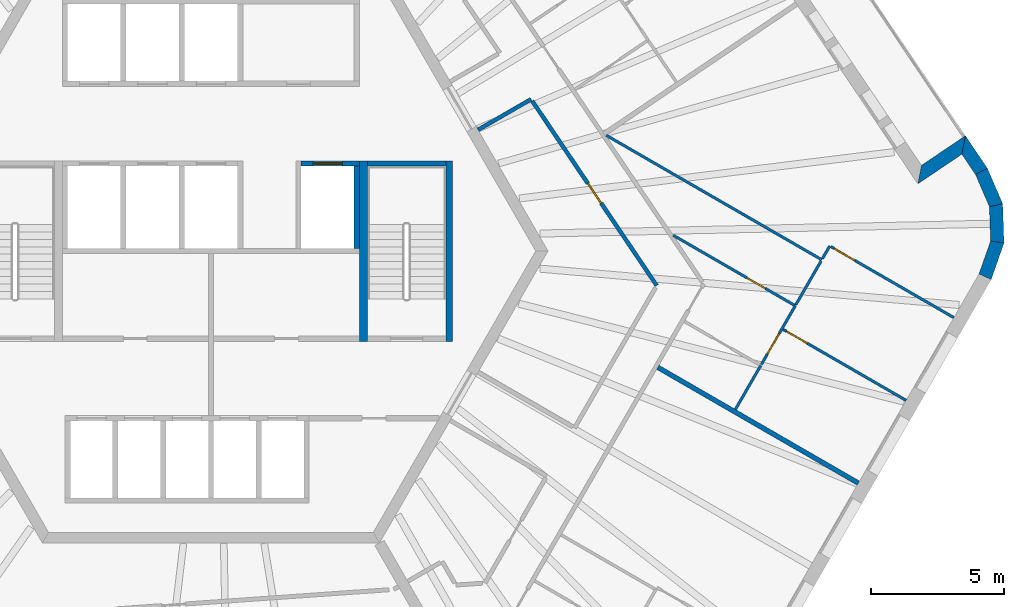
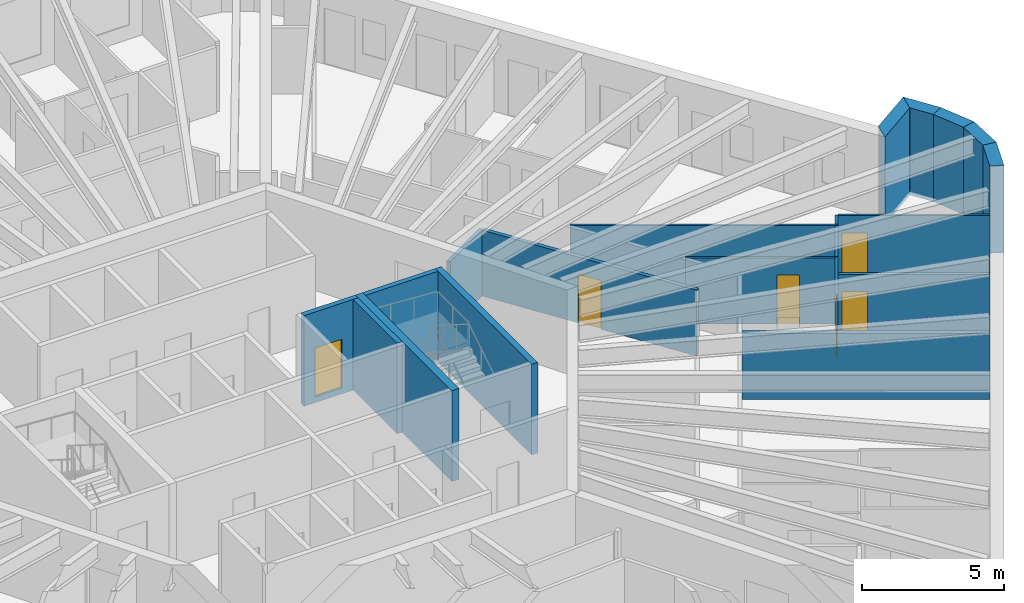
# One storey, part 7 of 12: 21 walls, 6 doors, 6 openings.
"""IFC4 building model written with IfcOpenShell, lengths in metres."""

from ifc_helpers import new_model, si_unit, direction, frame, frame_2d, origin, place, context, subcontext, project, spatial, polyline, rectangle, outline, extrude, material, layer, layer_set, type_object, element, fill, save


model = new_model("IFC4")

# Units and contexts
model_context = context("Model", 3, precision=1e-05, world=origin(), true_north=direction((0.0, 1.0)))
body_context = subcontext(model_context, "Body", "Model", "MODEL_VIEW")
ifc_project = project(units=[si_unit("LENGTHUNIT", "METRE"), si_unit("AREAUNIT", "SQUARE_METRE"), si_unit("VOLUMEUNIT", "CUBIC_METRE"), si_unit("PLANEANGLEUNIT", "RADIAN"), si_unit("MASSUNIT", "GRAM", prefix="KILO")], contexts=[model_context])

# Site, building, storey
site_placement = place(None, origin())
site = spatial("IfcSite", under=ifc_project, at=site_placement, CompositionType="ELEMENT")
building_placement = place(site_placement, origin())
building = spatial("IfcBuilding", under=site, at=building_placement, Name="Tarnside Tower", CompositionType="ELEMENT")
storey_placement = place(building_placement, frame((0.0, 0.0, 334.199951171875)))
storey = spatial("IfcBuildingStorey", under=building, at=storey_placement, Name="L81", CompositionType="ELEMENT", Elevation=334.199951171875)

# Wall
ifc_material_1 = material(Name="Gypsum board partition on steel studs", Category="steel")
ifc_layer_1 = layer(ifc_material_1, 0.10009765625)
ifc_layer_set_1 = layer_set([ifc_layer_1], Name="Bathroom wall 100")
wall_type_1 = type_object("IfcWallType", Name="Bathroom wall 100", PredefinedType="PARTITIONING", material=ifc_layer_set_1)
wall_1_placement = place(storey_placement, frame((14.896484375, 4.36083984375, 0.0), z_axis=(0.0, 0.0, 1.0), x_axis=(0.866020874699, -0.500007844523, 0.0)))
element("IfcWall", 1, at=wall_1_placement, inside=storey, type_object=wall_type_1, Name="Bathroom wall 26150", PredefinedType="PARTITIONING", context=body_context, shape_type="SweptSolid", body=[
    extrude(rectangle(XDim=9.379638671875, YDim=0.10009765625, at=frame_2d((4.68994140625, 0.0))), origin(), (0.0, 0.0, 1.0), 2.837890625),
])

# Wall, opening, door
wall_2_placement = place(storey_placement, frame((22.01953125, -2.06103515625, 0.0), z_axis=(0.0, 0.0, 1.0), x_axis=(-0.866041630335, 0.499971893737, 0.0)))
wall_2 = element("IfcWall", 2, at=wall_2_placement, inside=storey, type_object=wall_type_1, Name="Bathroom wall 26156", PredefinedType="PARTITIONING", context=body_context, shape_type="SweptSolid", body=[
    extrude(rectangle(XDim=5.309326171875, YDim=0.10009765625, at=frame_2d((2.65478515625, 0.0))), origin(), (0.0, 0.0, 1.0), 2.837890625),
])
opening_1_placement = place(wall_2_placement, frame((1.300048828125, 0.0, 0.0)))
opening_1 = element("IfcOpeningElement", 3, at=opening_1_placement, cuts=wall_2, Name="Opening D-B1", PredefinedType="OPENING", context=body_context, shape_type="SweptSolid", body=[
    extrude(rectangle(XDim=0.800048828125, YDim=2.10009765625, at=frame_2d((0.39990234375, 1.050048828125))), frame((0.0, 0.06005859375, 0.0), z_axis=(0.0, -1.0, 0.0), x_axis=(1.0, 0.0, 0.0)), (0.0, 0.0, 1.0), 0.1201171875),
])
ifc_material_2 = material(Name="Timber door leaf", Category="wood")
door_type_1 = type_object("IfcDoorType", Name="Bathroom door 800", OperationType="NOTDEFINED", PredefinedType="DOOR", material=ifc_material_2)
door_1_placement = place(opening_1_placement, origin())
door_1 = element("IfcDoor", 4, at=door_1_placement, inside=storey, type_object=door_type_1, Name="Bathroom door 26060", OperationType="SINGLE_SWING_RIGHT", OverallHeight=2.10009765625, OverallWidth=0.800048828125, PredefinedType="DOOR", context=body_context, shape_type="SweptSolid", body=[
    extrude(rectangle(XDim=0.800048828125, YDim=2.10009765625, at=frame_2d((0.39990234375, 1.050048828125))), frame((0.0, 0.02490234375, 0.0), z_axis=(0.0, -1.0, 0.0), x_axis=(1.0, 0.0, 0.0)), (0.0, 0.0, 1.0), 0.050048828125),
])
fill(opening_1, door_1)

# Walls
wall_3_placement = place(storey_placement, frame((19.764404296875, -5.966796875, 0.0), z_axis=(0.0, 0.0, 1.0), x_axis=(0.500039310002, 0.866002706955, 0.0)))
element("IfcWall", 5, at=wall_3_placement, inside=storey, type_object=wall_type_1, Name="Bathroom wall 26157", PredefinedType="PARTITIONING", context=body_context, shape_type="SweptSolid", body=[
    extrude(rectangle(XDim=1.911865234375, YDim=0.10009765625, at=frame_2d((0.9560546875, 0.0))), origin(), (0.0, 0.0, 1.0), 2.837890625),
])
wall_4_placement = place(storey_placement, frame((22.99462890625, -0.372314453125, 0.0), z_axis=(0.0, 0.0, 1.0), x_axis=(-0.500063520245, -0.865988727248, 0.0)))
element("IfcWall", 6, at=wall_4_placement, inside=storey, type_object=wall_type_1, Name="Bathroom wall 26159", PredefinedType="PARTITIONING", context=body_context, shape_type="SweptSolid", body=[
    extrude(rectangle(XDim=1.900146484375, YDim=0.10009765625, at=frame_2d((0.9501953125, 0.0))), origin(), (0.0, 0.0, 1.0), 2.837890625),
])
ifc_layer_2 = layer(ifc_material_1, 0.14990234375)
ifc_layer_set_2 = layer_set([ifc_layer_2], Name="Corridor wall 150 EI 60")
wall_type_2 = type_object("IfcWallType", Name="Corridor wall 150 EI 60", PredefinedType="PARTITIONING", material=ifc_layer_set_2)
wall_5_placement = place(storey_placement, frame((10.065673828125, 4.565673828125, 0.0), z_axis=(0.0, 0.0, 1.0), x_axis=(0.866034075723, 0.499984979461, 0.0)))
element("IfcWall", 7, at=wall_5_placement, inside=storey, type_object=wall_type_2, Name="Corridor wall 26077", PredefinedType="PARTITIONING", context=body_context, shape_type="SweptSolid", body=[
    extrude(rectangle(XDim=2.3076171875, YDim=0.14990234375, at=frame_2d((1.15380859375, 0.0))), origin(), (0.0, 0.0, 1.0), 2.837890625),
])

# Wall, opening, door
wall_6_placement = place(storey_placement, frame((12.106201171875, 5.6572265625, 0.0), z_axis=(0.0, 0.0, 1.0), x_axis=(0.559202573837, -0.829031049728, 0.0)))
wall_6 = element("IfcWall", 8, at=wall_6_placement, inside=storey, type_object=wall_type_2, Name="Corridor wall 26078", PredefinedType="PARTITIONING", context=body_context, shape_type="SweptSolid", body=[
    extrude(rectangle(XDim=8.393798828125, YDim=0.14990234375, at=frame_2d((4.19677734375, 0.0))), origin(), (0.0, 0.0, 1.0), 2.837890625),
])
opening_2_placement = place(wall_6_placement, frame((3.746826171875, 0.0, 0.0)))
opening_2 = element("IfcOpeningElement", 9, at=opening_2_placement, cuts=wall_6, Name="Opening D-S1", PredefinedType="OPENING", context=body_context, shape_type="SweptSolid", body=[
    extrude(rectangle(XDim=0.89990234375, YDim=2.10009765625, at=frame_2d((0.449951171875, 1.050048828125))), frame((0.0, 0.0849609375, 0.0), z_axis=(0.0, -1.0, 0.0), x_axis=(1.0, 0.0, 0.0)), (0.0, 0.0, 1.0), 0.169921875),
])
door_type_2 = type_object("IfcDoorType", Name="Service room door 900 FD30S", OperationType="NOTDEFINED", PredefinedType="DOOR", material=ifc_material_2)
door_2_placement = place(opening_2_placement, origin())
door_2 = element("IfcDoor", 10, at=door_2_placement, inside=storey, type_object=door_type_2, Name="Service door 26076", OperationType="SINGLE_SWING_RIGHT", OverallHeight=2.10009765625, OverallWidth=0.89990234375, PredefinedType="DOOR", context=body_context, shape_type="SweptSolid", body=[
    extrude(rectangle(XDim=0.89990234375, YDim=2.10009765625, at=frame_2d((0.449951171875, 1.050048828125))), frame((0.0, 0.02490234375, 0.0), z_axis=(0.0, -1.0, 0.0), x_axis=(1.0, 0.0, 0.0)), (0.0, 0.0, 1.0), 0.050048828125),
])
fill(opening_2, door_2)

# Wall
ifc_layer_3 = layer(ifc_material_1, 0.179931640625)
ifc_layer_set_3 = layer_set([ifc_layer_3], Name="Demising wall 180 EI 60")
wall_type_3 = type_object("IfcWallType", Name="Demising wall 180 EI 60", PredefinedType="PARTITIONING", material=ifc_layer_set_3)
wall_7_placement = place(storey_placement, frame((24.39599609375, -8.744873046875, 0.0), z_axis=(0.0, 0.0, 1.0), x_axis=(-0.866018297078, 0.500012308975, 0.0)))
element("IfcWall", 11, at=wall_7_placement, inside=storey, type_object=wall_type_3, Name="Demising wall 26139", PredefinedType="PARTITIONING", context=body_context, shape_type="SweptSolid", body=[
    extrude(rectangle(XDim=8.724853515625, YDim=0.179931640625, at=frame_2d((4.3623046875, 0.0))), origin(), (0.0, 0.0, 1.0), 2.837890625),
])

# Wall, opening, door
ifc_material_3 = material(Name="Concrete C40/50", Category="concrete")
ifc_layer_4 = layer(ifc_material_3, 0.199951171875)
ifc_layer_set_4 = layer_set([ifc_layer_4], Name="Lift shaft wall 200 C40/50")
wall_type_4 = type_object("IfcWallType", Name="Lift shaft wall 200 C40/50", PredefinedType="SHEAR", material=ifc_layer_set_4)
wall_8_placement = place(storey_placement, frame((3.39990234375, 3.300048828125, -0.25), z_axis=(0.0, 0.0, 1.0), x_axis=(1.0, 0.0, 0.0)))
wall_8 = element("IfcWall", 12, at=wall_8_placement, inside=storey, type_object=wall_type_4, Name="L81 lift shaft front wall R2 2", PredefinedType="SHEAR", context=body_context, shape_type="SweptSolid", body=[
    extrude(rectangle(XDim=2.2001953125, YDim=0.199951171875, at=frame_2d((1.10009765625, 0.0))), origin(), (0.0, 0.0, 1.0), 3.900146484375),
])
opening_3_placement = place(wall_8_placement, frame((0.449951171875, 0.0, 0.25)))
opening_3 = element("IfcOpeningElement", 13, at=opening_3_placement, cuts=wall_8, Name="Opening LD", PredefinedType="OPENING", context=body_context, shape_type="SweptSolid", body=[
    extrude(rectangle(XDim=1.10009765625, YDim=2.10009765625, at=frame_2d((0.550048828125, 1.050048828125))), frame((0.0, 0.10986328125, 0.0), z_axis=(0.0, -1.0, 0.0), x_axis=(1.0, 0.0, 0.0)), (0.0, 0.0, 1.0), 0.219970703125),
])
ifc_material_4 = material(Name="Stainless steel", Category="steel")
door_type_3 = type_object("IfcDoorType", Name="Lift landing door 1100x2100", OperationType="NOTDEFINED", PredefinedType="DOOR", material=ifc_material_4)
door_3_placement = place(opening_3_placement, origin())
door_3 = element("IfcDoor", 14, at=door_3_placement, inside=storey, type_object=door_type_3, Name="Express sky-lobby shuttle 2 landing door L81", OperationType="SLIDING_TO_LEFT", OverallHeight=2.10009765625, OverallWidth=1.10009765625, PredefinedType="DOOR", context=body_context, shape_type="SweptSolid", body=[
    extrude(rectangle(XDim=1.10009765625, YDim=2.10009765625, at=frame_2d((0.550048828125, 1.050048828125))), frame((0.0, 0.02490234375, 0.0), z_axis=(0.0, -1.0, 0.0), x_axis=(1.0, 0.0, 0.0)), (0.0, 0.0, 1.0), 0.050048828125),
])
fill(opening_3, door_3)

# Walls
wall_9_placement = place(storey_placement, frame((5.5, 0.10009765625, -0.25), z_axis=(0.0, 0.0, 1.0), x_axis=(0.0, 1.0, 0.0)))
element("IfcWall", 15, at=wall_9_placement, inside=storey, type_object=wall_type_4, Name="L81 lift shaft partition R26", PredefinedType="SHEAR", context=body_context, shape_type="SweptSolid", body=[
    extrude(rectangle(XDim=3.099853515625, YDim=0.199951171875, at=frame_2d((1.5498046875, 0.0))), origin(), (0.0, 0.0, 1.0), 3.900146484375),
])
wall_10_placement = place(storey_placement, frame((5.89990234375, 3.300048828125, -0.25), z_axis=(0.0, 0.0, 1.0), x_axis=(1.0, 0.0, 0.0)))
element("IfcWall", 16, at=wall_10_placement, inside=storey, type_object=wall_type_4, Name="L81 stair 1 enclosure cap wall n", PredefinedType="SHEAR", context=body_context, shape_type="SweptSolid", body=[
    extrude(rectangle(XDim=2.9501953125, YDim=0.199951171875, at=frame_2d((1.47509765625, 0.0))), origin(), (0.0, 0.0, 1.0), 3.900146484375),
])
ifc_material_5 = material(Name="Dark zinc cladding")
ifc_layer_5 = layer(ifc_material_5, 0.10205078125)
ifc_material_6 = material(Name="Concrete C60/75 precast", Category="concrete")
ifc_layer_6 = layer(ifc_material_6, 0.298095703125)
ifc_material_7 = material(Name="Mineral wool insulation")
ifc_layer_7 = layer(ifc_material_7, 0.10009765625)
ifc_layer_set_5 = layer_set([ifc_layer_5, ifc_layer_6, ifc_layer_7], Name="Loggia wall 500 zinc faced")
wall_type_5 = type_object("IfcWallType", Name="Loggia wall 500 zinc faced", PredefinedType="SOLIDWALL", material=ifc_layer_set_5)
wall_11_placement = place(storey_placement, frame((29.034912109375, 3.00244140625, -0.14990234375), z_axis=(0.0, 0.0, 1.0), x_axis=(-0.559200218553, 0.829032638423, 0.0)))
element("IfcWall", 17, at=wall_11_placement, inside=storey, type_object=wall_type_5, Name="Tube wall L81 F6 stub 28", PredefinedType="SOLIDWALL", context=body_context, shape_type="SweptSolid", body=[
    extrude(outline(polyline([(-0.0234375, -0.25), (1.44970703125, -0.25), (0.94970703125, 0.25), (0.0234375, 0.25), (-0.0234375, -0.25)])), origin(), (0.0, 0.0, 1.0), 3.75),
])
wall_12_placement = place(storey_placement, frame((28.364013671875, 3.9970703125, -0.14990234375), z_axis=(0.0, 0.0, 1.0), x_axis=(-0.829108975345, -0.5590870299, 0.0)))
element("IfcWall", 18, at=wall_12_placement, inside=storey, type_object=wall_type_5, Name="Tube wall L81 F6 return 29", PredefinedType="SOLIDWALL", context=body_context, shape_type="SweptSolid", body=[
    extrude(outline(polyline([(-0.25, -0.25), (1.75, -0.25), (2.25, 0.25), (0.25, 0.25), (-0.25, -0.25)])), origin(), (0.0, 0.0, 1.0), 3.75),
])
ifc_layer_8 = layer(ifc_material_1, 0.10009765625)
ifc_layer_set_6 = layer_set([ifc_layer_8], Name="Partition 100")
wall_type_6 = type_object("IfcWallType", Name="Partition 100", PredefinedType="PARTITIONING", material=ifc_layer_set_6)
wall_13_placement = place(storey_placement, frame((23.04345703125, -0.287353515625, 0.0), z_axis=(0.0, 0.0, 1.0), x_axis=(0.500181810019, 0.865920410272, 0.0)))
element("IfcWall", 19, at=wall_13_placement, inside=storey, type_object=wall_type_6, Name="Partition wall 26148", PredefinedType="PARTITIONING", context=body_context, shape_type="SweptSolid", body=[
    extrude(rectangle(XDim=0.552001953125, YDim=0.10009765625, at=frame_2d((0.27587890625, 0.0))), origin(), (0.0, 0.0, 1.0), 2.837890625),
])

# Wall, opening, door
wall_14_placement = place(storey_placement, frame((23.36279296875, 0.16552734375, 0.0), z_axis=(0.0, 0.0, 1.0), x_axis=(0.866024483152, -0.500001594578, 0.0)))
wall_14 = element("IfcWall", 20, at=wall_14_placement, inside=storey, type_object=wall_type_6, Name="Partition wall 26149", PredefinedType="PARTITIONING", context=body_context, shape_type="SweptSolid", body=[
    extrude(rectangle(XDim=5.35009765625, YDim=0.10009765625, at=frame_2d((2.675048828125, 0.0))), origin(), (0.0, 0.0, 1.0), 2.837890625),
])
opening_4_placement = place(wall_14_placement, frame((0.14990234375, 0.0, 0.0)))
opening_4 = element("IfcOpeningElement", 21, at=opening_4_placement, cuts=wall_14, Name="Opening D-I1", PredefinedType="OPENING", context=body_context, shape_type="SweptSolid", body=[
    extrude(rectangle(XDim=0.89990234375, YDim=2.10009765625, at=frame_2d((0.449951171875, 1.050048828125))), frame((0.0, 0.06005859375, 0.0), z_axis=(0.0, -1.0, 0.0), x_axis=(1.0, 0.0, 0.0)), (0.0, 0.0, 1.0), 0.1201171875),
])
door_type_4 = type_object("IfcDoorType", Name="Internal door 900", OperationType="NOTDEFINED", PredefinedType="DOOR", material=ifc_material_2)
door_4_placement = place(opening_4_placement, origin())
door_4 = element("IfcDoor", 22, at=door_4_placement, inside=storey, type_object=door_type_4, Name="Internal door 26059", OperationType="SINGLE_SWING_RIGHT", OverallHeight=2.10009765625, OverallWidth=0.89990234375, PredefinedType="DOOR", context=body_context, shape_type="SweptSolid", body=[
    extrude(rectangle(XDim=0.89990234375, YDim=2.10009765625, at=frame_2d((0.449951171875, 1.050048828125))), frame((0.0, 0.02490234375, 0.0), z_axis=(0.0, -1.0, 0.0), x_axis=(1.0, 0.0, 0.0)), (0.0, 0.0, 1.0), 0.050048828125),
])
fill(opening_4, door_4)

wall_15_placement = place(storey_placement, frame((20.743408203125, -4.271240234375, 0.0), z_axis=(0.0, 0.0, 1.0), x_axis=(0.500014808323, 0.866016854026, 0.0)))
wall_15 = element("IfcWall", 23, at=wall_15_placement, inside=storey, type_object=wall_type_6, Name="Partition wall 26154", PredefinedType="PARTITIONING", context=body_context, shape_type="SweptSolid", body=[
    extrude(rectangle(XDim=2.55419921875, YDim=0.10009765625, at=frame_2d((1.277099609375, 0.0))), origin(), (0.0, 0.0, 1.0), 2.837890625),
])
opening_5_placement = place(wall_15_placement, frame((0.451904296875, 0.0, 0.0)))
opening_5 = element("IfcOpeningElement", 24, at=opening_5_placement, cuts=wall_15, Name="Opening D-I1", PredefinedType="OPENING", context=body_context, shape_type="SweptSolid", body=[
    extrude(rectangle(XDim=0.89990234375, YDim=2.10009765625, at=frame_2d((0.449951171875, 1.050048828125))), frame((0.0, 0.06005859375, 0.0), z_axis=(0.0, -1.0, 0.0), x_axis=(1.0, 0.0, 0.0)), (0.0, 0.0, 1.0), 0.1201171875),
])
door_5_placement = place(opening_5_placement, origin())
door_5 = element("IfcDoor", 25, at=door_5_placement, inside=storey, type_object=door_type_4, Name="Internal door 26054", OperationType="SINGLE_SWING_LEFT", OverallHeight=2.10009765625, OverallWidth=0.89990234375, PredefinedType="DOOR", context=body_context, shape_type="SweptSolid", body=[
    extrude(rectangle(XDim=0.89990234375, YDim=2.10009765625, at=frame_2d((0.449951171875, 1.050048828125))), frame((0.0, 0.02490234375, 0.0), z_axis=(0.0, -1.0, 0.0), x_axis=(1.0, 0.0, 0.0)), (0.0, 0.0, 1.0), 0.050048828125),
])
fill(opening_5, door_5)

wall_16_placement = place(storey_placement, frame((26.196044921875, -5.627197265625, 0.0), z_axis=(0.0, 0.0, 1.0), x_axis=(-0.866024483152, 0.500001594578, 0.0)))
wall_16 = element("IfcWall", 26, at=wall_16_placement, inside=storey, type_object=wall_type_6, Name="Partition wall 26158", PredefinedType="PARTITIONING", context=body_context, shape_type="SweptSolid", body=[
    extrude(rectangle(XDim=5.35009765625, YDim=0.10009765625, at=frame_2d((2.675048828125, 0.0))), origin(), (0.0, 0.0, 1.0), 2.837890625),
])
opening_6_placement = place(wall_16_placement, frame((4.300048828125, 0.0, 0.0)))
opening_6 = element("IfcOpeningElement", 27, at=opening_6_placement, cuts=wall_16, Name="Opening D-I1", PredefinedType="OPENING", context=body_context, shape_type="SweptSolid", body=[
    extrude(rectangle(XDim=0.89990234375, YDim=2.10009765625, at=frame_2d((0.449951171875, 1.050048828125))), frame((0.0, 0.06005859375, 0.0), z_axis=(0.0, -1.0, 0.0), x_axis=(1.0, 0.0, 0.0)), (0.0, 0.0, 1.0), 0.1201171875),
])
door_6_placement = place(opening_6_placement, origin())
door_6 = element("IfcDoor", 28, at=door_6_placement, inside=storey, type_object=door_type_4, Name="Internal door 26057", OperationType="SINGLE_SWING_RIGHT", OverallHeight=2.10009765625, OverallWidth=0.89990234375, PredefinedType="DOOR", context=body_context, shape_type="SweptSolid", body=[
    extrude(rectangle(XDim=0.89990234375, YDim=2.10009765625, at=frame_2d((0.449951171875, 1.050048828125))), frame((0.0, 0.02490234375, 0.0), z_axis=(0.0, -1.0, 0.0), x_axis=(1.0, 0.0, 0.0)), (0.0, 0.0, 1.0), 0.050048828125),
])
fill(opening_6, door_6)

# Walls
ifc_layer_9 = layer(ifc_material_3, 0.25)
ifc_layer_set_7 = layer_set([ifc_layer_9], Name="Stair enclosure wall 250 C40/50")
wall_type_7 = type_object("IfcWallType", Name="Stair enclosure wall 250 C40/50", PredefinedType="SHEAR", material=ifc_layer_set_7)
wall_17_placement = place(storey_placement, frame((8.97509765625, -3.39990234375, -0.25), z_axis=(0.0, 0.0, 1.0), x_axis=(0.0, 1.0, 0.0)))
element("IfcWall", 29, at=wall_17_placement, inside=storey, type_object=wall_type_7, Name="L81 stair 1 enclosure wall outer", PredefinedType="SHEAR", context=body_context, shape_type="SweptSolid", body=[
    extrude(rectangle(XDim=6.7998046875, YDim=0.25, at=frame_2d((3.39990234375, 0.0))), origin(), (0.0, 0.0, 1.0), 3.900146484375),
])
ifc_layer_10 = layer(ifc_material_3, 0.300048828125)
ifc_layer_set_8 = layer_set([ifc_layer_10], Name="Stair enclosure wall 300 C40/50")
wall_type_8 = type_object("IfcWallType", Name="Stair enclosure wall 300 C40/50", PredefinedType="SHEAR", material=ifc_layer_set_8)
wall_18_placement = place(storey_placement, frame((5.75, -3.39990234375, -0.25), z_axis=(0.0, 0.0, 1.0), x_axis=(0.0, 1.0, 0.0)))
element("IfcWall", 30, at=wall_18_placement, inside=storey, type_object=wall_type_8, Name="L81 stair 1 enclosure wall inner", PredefinedType="SHEAR", context=body_context, shape_type="SweptSolid", body=[
    extrude(rectangle(XDim=6.7998046875, YDim=0.300048828125, at=frame_2d((3.39990234375, 0.0))), origin(), (0.0, 0.0, 1.0), 3.900146484375),
])
ifc_material_8 = material(Name="Facing brick", Category="masonry")
ifc_layer_11 = layer(ifc_material_8, 0.10205078125)
ifc_layer_12 = layer(ifc_material_6, 0.298095703125)
ifc_layer_13 = layer(ifc_material_7, 0.10009765625)
ifc_layer_set_9 = layer_set([ifc_layer_11, ifc_layer_12, ifc_layer_13], Name="Tube wall 500 brick faced")
wall_type_9 = type_object("IfcWallType", Name="Tube wall 500 brick faced", PredefinedType="SOLIDWALL", material=ifc_layer_set_9)
wall_19_placement = place(storey_placement, frame((29.173828125, -0.9697265625, -0.14990234375), z_axis=(0.0, 0.0, 1.0), x_axis=(0.330961348063, 0.943644311215, 0.0)))
element("IfcWall", 31, at=wall_19_placement, inside=storey, type_object=wall_type_9, Name="Tube wall L81 F5 chord 25", PredefinedType="SOLIDWALL", context=body_context, shape_type="SweptSolid", body=[
    extrude(outline(polyline([(-0.0234375, -0.25), (1.435302734375, -0.25), (1.341064453125, 0.25), (0.0234375, 0.25), (-0.0234375, -0.25)])), origin(), (0.0, 0.0, 1.0), 3.75),
])
wall_20_placement = place(storey_placement, frame((29.63330078125, 0.34033203125, -0.14990234375), z_axis=(0.0, 0.0, 1.0), x_axis=(-0.034825746769, 0.999393399699, 0.0)))
element("IfcWall", 32, at=wall_20_placement, inside=storey, type_object=wall_type_9, Name="Tube wall L81 F5 chord 26", PredefinedType="SOLIDWALL", context=body_context, shape_type="SweptSolid", body=[
    extrude(outline(polyline([(-0.047119140625, -0.25), (1.43505859375, -0.25), (1.3408203125, 0.25), (0.047119140625, 0.25), (-0.047119140625, -0.25)])), origin(), (0.0, 0.0, 1.0), 3.75),
])
wall_21_placement = place(storey_placement, frame((29.5849609375, 1.7275390625, -0.14990234375), z_axis=(0.0, 0.0, 1.0), x_axis=(-0.396146339195, 0.918187387162, 0.0)))
element("IfcWall", 33, at=wall_21_placement, inside=storey, type_object=wall_type_9, Name="Tube wall L81 F5 chord 27", PredefinedType="SOLIDWALL", context=body_context, shape_type="SweptSolid", body=[
    extrude(outline(polyline([(-0.047119140625, -0.25), (1.411865234375, -0.25), (1.364990234375, 0.25), (0.047119140625, 0.25), (-0.047119140625, -0.25)])), origin(), (0.0, 0.0, 1.0), 3.75),
])

save(model, "model.ifc")
